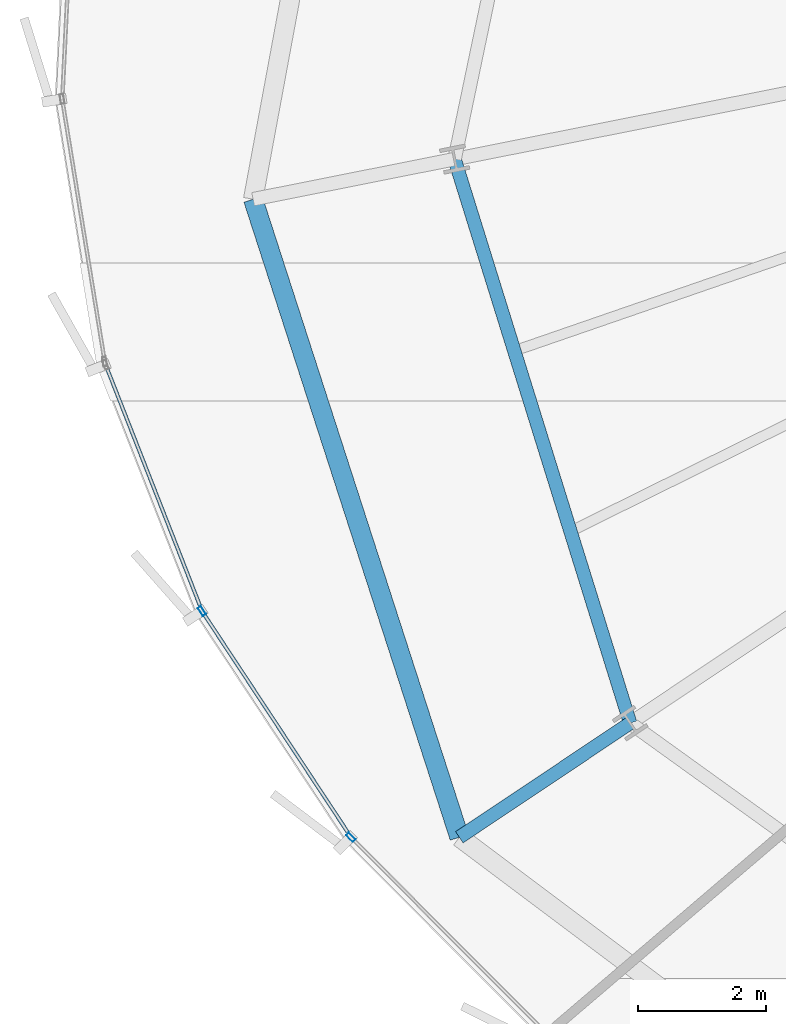
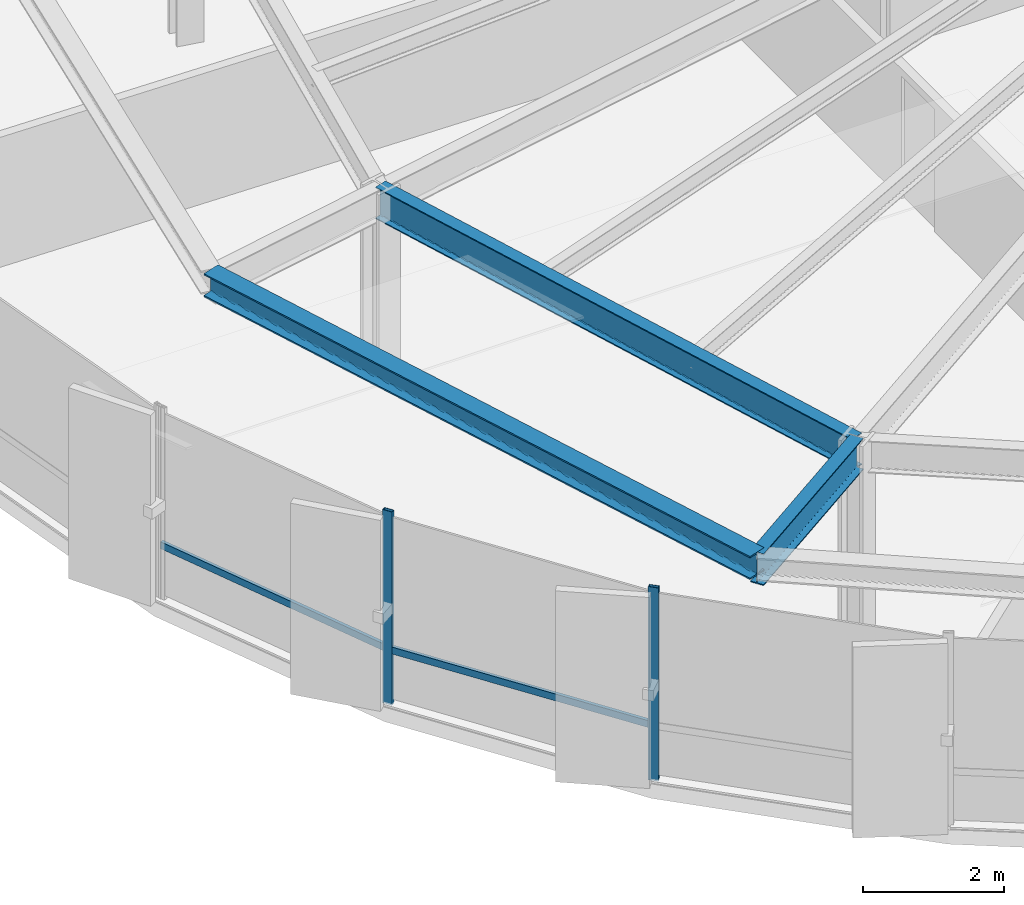
# One storey, part 3 of 35: 4 members, 3 beams, 1 element without a shape of its own.
"""IFC4 building model written with IfcOpenShell, lengths in metres."""

from ifc_helpers import new_model, si_unit, direction, frame, origin, origin_2d, place, context, subcontext, project, spatial, hollow_rectangle, i_section, extrude, source, transform, mapped, material, layer, layer_set, material_profile, profile_set, type_object, element, aggregate, save


model = new_model("IFC4")

# Units and contexts
model_context = context("Model", 3, precision=1e-05, world=origin(), true_north=direction((0.0, 1.0)))
body_context = subcontext(model_context, "Body", "Model", "MODEL_VIEW")
ifc_project = project(units=[si_unit("LENGTHUNIT", "METRE"), si_unit("AREAUNIT", "SQUARE_METRE"), si_unit("VOLUMEUNIT", "CUBIC_METRE"), si_unit("PLANEANGLEUNIT", "RADIAN"), si_unit("MASSUNIT", "GRAM", prefix="KILO"), si_unit("THERMODYNAMICTEMPERATUREUNIT", "KELVIN")], contexts=[model_context])

# Site, building, storey
site_placement = place(None, origin())
site = spatial("IfcSite", under=ifc_project, at=site_placement, CompositionType="ELEMENT")
building_placement = place(site_placement, origin())
building = spatial("IfcBuilding", under=site, at=building_placement, Name="Kethvar Cultural Tower", CompositionType="ELEMENT")
storey_placement = place(building_placement, frame((0.0, 0.0, 96.39990234375)))
storey = spatial("IfcBuildingStorey", under=building, at=storey_placement, Name="L23", CompositionType="ELEMENT", Elevation=96.39990234375)

# Beams
ifc_material_1 = material(Name="Steel S355J2", Category="steel")
ifc_material_profile_1 = material_profile(ifc_material_1, i_section(OverallWidth=0.2099609375, OverallDepth=0.550048828125, WebThickness=0.010986328125, FlangeThickness=0.01708984375, FilletRadius=0.02392578125, at=origin_2d()), Name="Steel S355J2 — IPE550")
ifc_profile_set_1 = profile_set([ifc_material_profile_1], Name="Steel S355J2 — IPE550")
beam_type_1 = type_object("IfcBeamType", Name="BM-IPE550", PredefinedType="BEAM", material=ifc_profile_set_1)
shared_shape_1 = source(origin(), body_context, "Body", "SweptSolid", [
    extrude(i_section(OverallWidth=0.2099609375, OverallDepth=0.550048828125, WebThickness=0.010986328125, FlangeThickness=0.01708984375, FilletRadius=0.02392578125, at=origin_2d()), origin(), (0.0, 0.0, 1.0), 3.199951171875),
])
beam_1_placement = place(storey_placement, frame((26.920654296875, 14.51708984375, 3.072998046875), z_axis=(-0.831462943996, -0.555580212716, 0.0), x_axis=(0.555580212716, -0.831462943996, 0.0)))
element("IfcBeam", 1, at=beam_1_placement, inside=storey, type_object=beam_type_1, Name="L23 Perimeter Cantilever Beam RC-10", PredefinedType="BEAM", context=body_context, shape_type="MappedRepresentation", body=[
    mapped(shared_shape_1, transform((0.0, 0.0, 0.0), scale=1.0)),
])
shared_shape_2 = source(origin(), body_context, "Body", "SweptSolid", [
    extrude(i_section(OverallWidth=0.2099609375, OverallDepth=0.550048828125, WebThickness=0.010986328125, FlangeThickness=0.01708984375, FilletRadius=0.02392578125, at=origin_2d()), origin(), (0.0, 0.0, 1.0), 9.20068359375),
])
beam_2_placement = place(storey_placement, frame((24.185302734375, 23.3017578125, 3.072998046875), z_axis=(0.297298800285, -0.954784490526, 0.0), x_axis=(0.954784490526, 0.297298800285, 0.0)))
element("IfcBeam", 2, at=beam_2_placement, inside=storey, type_object=beam_type_1, Name="L23 Column Ring Tie Beam CR-09", PredefinedType="BEAM", context=body_context, shape_type="MappedRepresentation", body=[
    mapped(shared_shape_2, transform((0.0, 0.0, 0.0), scale=1.0)),
])
ifc_material_profile_2 = material_profile(ifc_material_1, i_section(OverallWidth=0.300048828125, OverallDepth=0.39990234375, WebThickness=0.013427734375, FlangeThickness=0.02392578125, FilletRadius=0.027099609375, at=origin_2d()), Name="Steel S355J2 — HEB400")
ifc_profile_set_2 = profile_set([ifc_material_profile_2], Name="Steel S355J2 — HEB400")
beam_type_2 = type_object("IfcBeamType", Name="BM-SP400", PredefinedType="SPANDREL", material=ifc_profile_set_2)
shared_shape_3 = source(origin(), body_context, "Body", "SweptSolid", [
    extrude(i_section(OverallWidth=0.300048828125, OverallDepth=0.39990234375, WebThickness=0.013427734375, FlangeThickness=0.02392578125, FilletRadius=0.027099609375, at=origin_2d()), origin(), (0.0, 0.0, 1.0), 10.44482421875),
])
beam_3_placement = place(storey_placement, frame((21.046875, 22.677490234375, 3.148193359375), z_axis=(0.307631709258, -0.951505507845, 0.0), x_axis=(0.951505507845, 0.307631709258, 0.0)))
element("IfcBeam", 3, at=beam_3_placement, inside=storey, type_object=beam_type_2, Name="L23 Perimeter Spandrel Beam SP-09", PredefinedType="SPANDREL", context=body_context, shape_type="MappedRepresentation", body=[
    mapped(shared_shape_3, transform((0.0, 0.0, 0.0), scale=1.0)),
])

# Curtain wall, members
ifc_material_2 = material(Name="Aluminium 6063-T6", Category="aluminium")
ifc_layer = layer(ifc_material_2, 0.179931640625, Name="Aluminium 6063-T6", Category="aluminium")
ifc_layer_set = layer_set([ifc_layer], Name="Aluminium 6063-T6 (180 mm)")
curtain_wall_type = type_object("IfcCurtainWallType", Name="CW-SYS-03-Z2", PredefinedType="NOTDEFINED", material=ifc_layer_set)
curtain_wall_placement = place(storey_placement, origin())
curtain_wall = element("IfcCurtainWall", 4, at=curtain_wall_placement, inside=storey, type_object=curtain_wall_type, Name="L23 Curtain Wall Run 04", PredefinedType="NOTDEFINED")
ifc_material_profile_3 = material_profile(ifc_material_2, hollow_rectangle(XDim=0.06005859375, YDim=0.14990234375, WallThickness=0.0048828125, at=origin_2d()), Name="Aluminium 6063-T6 — RHS150x60x5")
ifc_profile_set_3 = profile_set([ifc_material_profile_3], Name="Aluminium 6063-T6 — RHS150x60x5")
member_type_1 = type_object("IfcMemberType", Name="CW-SYS-03-Z2-MUL", PredefinedType="MULLION", material=ifc_profile_set_3)
shared_shape_4 = source(origin(), body_context, "Body", "SweptSolid", [
    extrude(hollow_rectangle(XDim=0.06005859375, YDim=0.14990234375, WallThickness=0.0048828125, at=origin_2d()), origin(), (0.0, 0.0, 1.0), 3.35009765625),
])
member_1_placement = place(storey_placement, frame((20.249267578125, 16.26318359375, 0.0), z_axis=(0.0, 0.0, 1.0), x_axis=(0.834847863263, 0.550480740085, 0.0)))
member_1 = element("IfcMember", 5, at=member_1_placement, type_object=member_type_1, Name="CW-L23-R04 Mullion 2", PredefinedType="MULLION", context=body_context, shape_type="MappedRepresentation", body=[
    mapped(shared_shape_4, transform((0.0, 0.0, 0.0), scale=1.0)),
])
member_2_placement = place(storey_placement, frame((22.5693359375, 12.740234375, 0.0), z_axis=(0.0, 0.0, 1.0), x_axis=(0.707945494213, 0.706267072164, 0.0)))
member_2 = element("IfcMember", 6, at=member_2_placement, type_object=member_type_1, Name="CW-L23-R04 Mullion 3", PredefinedType="MULLION", context=body_context, shape_type="MappedRepresentation", body=[
    mapped(shared_shape_4, transform((0.0, 0.0, 0.0), scale=1.0)),
])
ifc_material_profile_4 = material_profile(ifc_material_2, hollow_rectangle(XDim=0.054931640625, YDim=0.1201171875, WallThickness=0.00390625, at=origin_2d()), Name="Aluminium 6063-T6 — RHS120x55x4")
ifc_profile_set_4 = profile_set([ifc_material_profile_4], Name="Aluminium 6063-T6 — RHS120x55x4")
member_type_2 = type_object("IfcMemberType", Name="CW-SYS-03-Z2-TRN", PredefinedType="USERDEFINED", material=ifc_profile_set_4)
shared_shape_5 = source(origin(), body_context, "Body", "SweptSolid", [
    extrude(hollow_rectangle(XDim=0.054931640625, YDim=0.1201171875, WallThickness=0.00390625, at=origin_2d()), origin(), (0.0, 0.0, 1.0), 4.15478515625),
])
member_3_placement = place(storey_placement, frame((20.27294921875, 16.22705078125, 0.9501953125), z_axis=(0.55046231606, -0.834860011378, 0.0), x_axis=(0.834860011378, 0.55046231606, 0.0)))
member_3 = element("IfcMember", 7, at=member_3_placement, type_object=member_type_2, Name="CW-L23-R04 Transom 2", ObjectType="TRANSOM", PredefinedType="USERDEFINED", context=body_context, shape_type="MappedRepresentation", body=[
    mapped(shared_shape_5, transform((0.0, 0.0, 0.0), scale=1.0)),
])
shared_shape_6 = source(origin(), body_context, "Body", "SweptSolid", [
    extrude(hollow_rectangle(XDim=0.054931640625, YDim=0.1201171875, WallThickness=0.00390625, at=origin_2d()), origin(), (0.0, 0.0, 1.0), 4.0947265625),
])
member_4_placement = place(storey_placement, frame((18.7509765625, 20.0947265625, 0.9501953125), z_axis=(0.364709559761, -0.931121333135, 0.0), x_axis=(0.931121333135, 0.364709559761, 0.0)))
member_4 = element("IfcMember", 8, at=member_4_placement, type_object=member_type_2, Name="CW-L23-R04 Transom 1", ObjectType="TRANSOM", PredefinedType="USERDEFINED", context=body_context, shape_type="MappedRepresentation", body=[
    mapped(shared_shape_6, transform((0.0, 0.0, 0.0), scale=1.0)),
])
aggregate(curtain_wall, [member_1, member_2, member_4, member_3])

save(model, "model.ifc")
